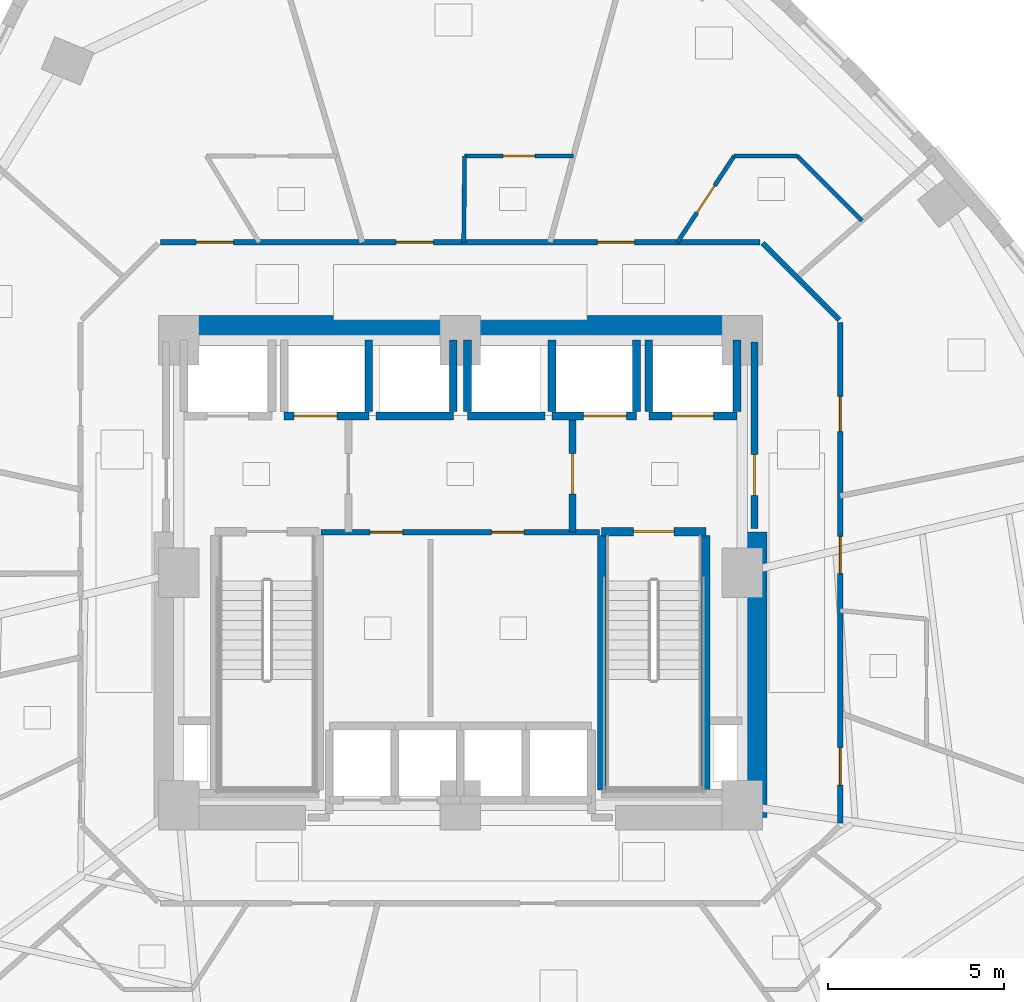
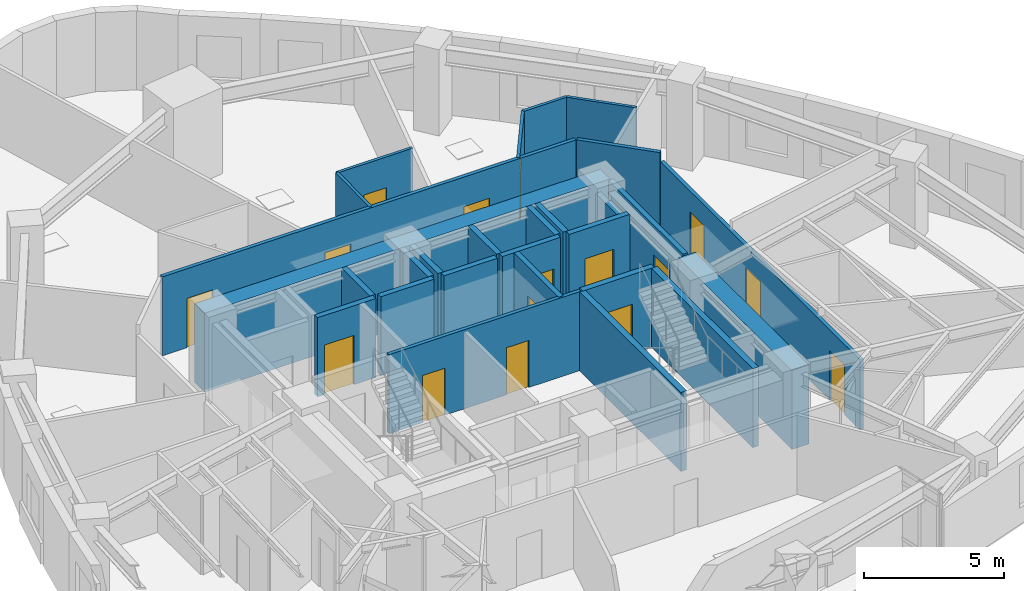
# One storey, part 7 of 12: 28 walls, 16 doors, 16 openings.
"""IFC4 building model written with IfcOpenShell, lengths in metres."""

from ifc_helpers import new_model, si_unit, direction, frame, frame_2d, origin, place, context, subcontext, project, spatial, rectangle, extrude, material, layer, layer_set, type_object, element, fill, save


model = new_model("IFC4")

# Units and contexts
model_context = context("Model", 3, precision=1e-05, world=origin(), true_north=direction((0.0, 1.0)))
body_context = subcontext(model_context, "Body", "Model", "MODEL_VIEW")
ifc_project = project(units=[si_unit("LENGTHUNIT", "METRE"), si_unit("AREAUNIT", "SQUARE_METRE"), si_unit("VOLUMEUNIT", "CUBIC_METRE"), si_unit("PLANEANGLEUNIT", "RADIAN"), si_unit("MASSUNIT", "GRAM", prefix="KILO")], contexts=[model_context])

# Site, building, storey
site_placement = place(None, origin())
site = spatial("IfcSite", under=ifc_project, at=site_placement, CompositionType="ELEMENT")
building_placement = place(site_placement, origin())
building = spatial("IfcBuilding", under=site, at=building_placement, Name="Ndelora Gate Hotel", CompositionType="ELEMENT")
storey_placement = place(building_placement, frame((0.0, 0.0, 79.25)))
storey = spatial("IfcBuildingStorey", under=building, at=storey_placement, Name="L19", CompositionType="ELEMENT", Elevation=79.25)

# Walls
ifc_material_1 = material(Name="Concrete C60/75", Category="concrete")
ifc_layer_1 = layer(ifc_material_1, 0.699951171875)
ifc_layer_set_1 = layer_set([ifc_layer_1], Name="Concrete C60/75")
wall_type_1 = type_object("IfcWallType", Name="WL-CORE-700", PredefinedType="SHEAR", material=ifc_layer_set_1)
wall_1_placement = place(storey_placement, frame((-8.35009765625, 6.949951171875, 0.0), z_axis=(0.0, 0.0, 1.0), x_axis=(1.0, 0.0, 0.0)))
element("IfcWall", 1, at=wall_1_placement, inside=storey, type_object=wall_type_1, Name="L19 Core Shear Wall N", PredefinedType="SHEAR", context=body_context, shape_type="SweptSolid", body=[
    extrude(rectangle(XDim=16.7001953125, YDim=0.699951171875, at=frame_2d((8.35009765625, 0.0))), origin(), (0.0, 0.0, 1.0), 3.43994140625),
])
wall_2_placement = place(storey_placement, frame((8.35009765625, -6.949951171875, 0.0), z_axis=(0.0, 0.0, 1.0), x_axis=(0.0, 1.0, 0.0)))
element("IfcWall", 2, at=wall_2_placement, inside=storey, type_object=wall_type_1, Name="L19 Core Shear Wall E", PredefinedType="SHEAR", context=body_context, shape_type="SweptSolid", body=[
    extrude(rectangle(XDim=8.099853515625, YDim=0.699951171875, at=frame_2d((4.0498046875, 0.0))), origin(), (0.0, 0.0, 1.0), 3.43994140625),
])

# Wall, opening, door
ifc_material_2 = material(Name="Concrete C40/50", Category="concrete")
ifc_layer_2 = layer(ifc_material_2, 0.199951171875)
ifc_layer_set_2 = layer_set([ifc_layer_2], Name="Concrete C40/50")
wall_type_2 = type_object("IfcWallType", Name="WL-FIRE-200", PredefinedType="PARTITIONING", material=ifc_layer_set_2)
wall_3_placement = place(storey_placement, frame((3.179931640625, 1.14990234375, 0.0), z_axis=(0.0, 0.0, 1.0), x_axis=(0.0, 1.0, 0.0)))
wall_3 = element("IfcWall", 3, at=wall_3_placement, inside=storey, type_object=wall_type_2, Name="L19 Interior Wall IW-2", PredefinedType="PARTITIONING", context=body_context, shape_type="SweptSolid", body=[
    extrude(rectangle(XDim=3.300048828125, YDim=0.199951171875, at=frame_2d((1.64990234375, 0.0))), origin(), (0.0, 0.0, 1.0), 3.43994140625),
])
opening_1_placement = place(wall_3_placement, frame((1.080078125, 0.0, 0.0)))
opening_1 = element("IfcOpeningElement", 4, at=opening_1_placement, cuts=wall_3, Name="Opening FD1", PredefinedType="OPENING", context=body_context, shape_type="SweptSolid", body=[
    extrude(rectangle(XDim=1.14990234375, YDim=2.14990234375, at=frame_2d((0.574951171875, 1.074951171875))), frame((0.0, 0.10986328125, 0.0), z_axis=(0.0, -1.0, 0.0), x_axis=(1.0, 0.0, 0.0)), (0.0, 0.0, 1.0), 0.219970703125),
])
ifc_material_3 = material(Name="Fire-Rated Timber-Veneer Steel Core", Category="steel")
door_type_1 = type_object("IfcDoorType", Name="DR-FD60", OperationType="SINGLE_SWING_LEFT", PredefinedType="DOOR", material=ifc_material_3)
door_1_placement = place(opening_1_placement, origin())
door_1 = element("IfcDoor", 5, at=door_1_placement, inside=storey, type_object=door_type_1, Name="L19 Firefighting Lobby East Door", OperationType="SINGLE_SWING_LEFT", OverallHeight=2.14990234375, OverallWidth=1.14990234375, PredefinedType="DOOR", context=body_context, shape_type="SweptSolid", body=[
    extrude(rectangle(XDim=1.14990234375, YDim=2.14990234375, at=frame_2d((0.574951171875, 1.074951171875))), frame((0.0, 0.02490234375, 0.0), z_axis=(0.0, -1.0, 0.0), x_axis=(1.0, 0.0, 0.0)), (0.0, 0.0, 1.0), 0.050048828125),
])
fill(opening_1, door_1)

wall_4_placement = place(storey_placement, frame((8.35009765625, 1.25, 0.0), z_axis=(0.0, 0.0, 1.0), x_axis=(0.0, 1.0, 0.0)))
wall_4 = element("IfcWall", 6, at=wall_4_placement, inside=storey, type_object=wall_type_2, Name="L19 Interior Wall IW-2", PredefinedType="PARTITIONING", context=body_context, shape_type="SweptSolid", body=[
    extrude(rectangle(XDim=5.300048828125, YDim=0.199951171875, at=frame_2d((2.64990234375, 0.0))), origin(), (0.0, 0.0, 1.0), 3.43994140625),
])
opening_2_placement = place(wall_4_placement, frame((0.949951171875, 0.0, 0.0)))
opening_2 = element("IfcOpeningElement", 7, at=opening_2_placement, cuts=wall_4, Name="Opening FD1", PredefinedType="OPENING", context=body_context, shape_type="SweptSolid", body=[
    extrude(rectangle(XDim=1.14990234375, YDim=2.14990234375, at=frame_2d((0.574951171875, 1.074951171875))), frame((0.0, 0.10986328125, 0.0), z_axis=(0.0, -1.0, 0.0), x_axis=(1.0, 0.0, 0.0)), (0.0, 0.0, 1.0), 0.219970703125),
])
door_2_placement = place(opening_2_placement, origin())
door_2 = element("IfcDoor", 8, at=door_2_placement, inside=storey, type_object=door_type_1, Name="L19 Firefighting Lobby East Corridor Door", OperationType="SINGLE_SWING_RIGHT", OverallHeight=2.14990234375, OverallWidth=1.14990234375, PredefinedType="DOOR", context=body_context, shape_type="SweptSolid", body=[
    extrude(rectangle(XDim=1.14990234375, YDim=2.14990234375, at=frame_2d((0.574951171875, 1.074951171875))), frame((0.0, 0.02490234375, 0.0), z_axis=(0.0, -1.0, 0.0), x_axis=(1.0, 0.0, 0.0)), (0.0, 0.0, 1.0), 0.050048828125),
])
fill(opening_2, door_2)

# Wall, openings, doors
ifc_material_4 = material(Name="Fire-Rated Gypsum Stud Partition", Category="gypsum")
ifc_layer_3 = layer(ifc_material_4, 0.14990234375)
ifc_layer_set_3 = layer_set([ifc_layer_3], Name="Fire-Rated Gypsum Stud Partition")
wall_type_3 = type_object("IfcWallType", Name="WL-PART-150", PredefinedType="PARTITIONING", material=ifc_layer_set_3)
wall_5_placement = place(storey_placement, frame((3.949951171875, 1.14990234375, 0.0), z_axis=(0.0, 0.0, 1.0), x_axis=(-1.0, 0.0, 0.0)))
wall_5 = element("IfcWall", 9, at=wall_5_placement, inside=storey, type_object=wall_type_3, Name="L19 Interior Wall IW-5", PredefinedType="PARTITIONING", context=body_context, shape_type="SweptSolid", body=[
    extrude(rectangle(XDim=7.89990234375, YDim=0.14990234375, at=frame_2d((3.949951171875, 0.0))), origin(), (0.0, 0.0, 1.0), 3.43994140625),
])
opening_3_placement = place(wall_5_placement, frame((5.590087890625, 0.0, 0.0)))
opening_3 = element("IfcOpeningElement", 10, at=opening_3_placement, cuts=wall_5, Name="Opening D04", PredefinedType="OPENING", context=body_context, shape_type="SweptSolid", body=[
    extrude(rectangle(XDim=0.919921875, YDim=2.050048828125, at=frame_2d((0.4599609375, 1.02490234375))), frame((0.0, 0.0849609375, 0.0), z_axis=(0.0, -1.0, 0.0), x_axis=(1.0, 0.0, 0.0)), (0.0, 0.0, 1.0), 0.169921875),
])
opening_4_placement = place(wall_5_placement, frame((2.139892578125, 0.0, 0.0)))
opening_4 = element("IfcOpeningElement", 11, at=opening_4_placement, cuts=wall_5, Name="Opening D04", PredefinedType="OPENING", context=body_context, shape_type="SweptSolid", body=[
    extrude(rectangle(XDim=0.919921875, YDim=2.050048828125, at=frame_2d((0.4599609375, 1.02490234375))), frame((0.0, 0.0849609375, 0.0), z_axis=(0.0, -1.0, 0.0), x_axis=(1.0, 0.0, 0.0)), (0.0, 0.0, 1.0), 0.169921875),
])
ifc_material_5 = material(Name="Painted Steel Core Service Door", Category="steel")
door_type_2 = type_object("IfcDoorType", Name="DR-SER-920", OperationType="SINGLE_SWING_LEFT", PredefinedType="DOOR", material=ifc_material_5)
door_3_placement = place(opening_3_placement, origin())
door_3 = element("IfcDoor", 12, at=door_3_placement, inside=storey, type_object=door_type_2, Name="L19 Core Electrical Switchroom Door", OperationType="SINGLE_SWING_LEFT", OverallHeight=2.050048828125, OverallWidth=0.919921875, PredefinedType="DOOR", context=body_context, shape_type="SweptSolid", body=[
    extrude(rectangle(XDim=0.919921875, YDim=2.050048828125, at=frame_2d((0.4599609375, 1.02490234375))), frame((0.0, 0.02490234375, 0.0), z_axis=(0.0, -1.0, 0.0), x_axis=(1.0, 0.0, 0.0)), (0.0, 0.0, 1.0), 0.050048828125),
])
fill(opening_3, door_3)
door_4_placement = place(opening_4_placement, origin())
door_4 = element("IfcDoor", 13, at=door_4_placement, inside=storey, type_object=door_type_2, Name="L19 Central Linen Equipment Store Door", OperationType="SINGLE_SWING_RIGHT", OverallHeight=2.050048828125, OverallWidth=0.919921875, PredefinedType="DOOR", context=body_context, shape_type="SweptSolid", body=[
    extrude(rectangle(XDim=0.919921875, YDim=2.050048828125, at=frame_2d((0.4599609375, 1.02490234375))), frame((0.0, 0.02490234375, 0.0), z_axis=(0.0, -1.0, 0.0), x_axis=(1.0, 0.0, 0.0)), (0.0, 0.0, 1.0), 0.050048828125),
])
fill(opening_4, door_4)

wall_6_placement = place(storey_placement, frame((10.780029296875, 7.110107421875, 0.0), z_axis=(0.0, 0.0, 1.0), x_axis=(0.0, -1.0, 0.0)))
wall_6 = element("IfcWall", 14, at=wall_6_placement, inside=storey, type_object=wall_type_3, Name="L19 Interior Wall IW-5", PredefinedType="PARTITIONING", context=body_context, shape_type="SweptSolid", body=[
    extrude(rectangle(XDim=14.22021484375, YDim=0.14990234375, at=frame_2d((7.110107421875, 0.0))), origin(), (0.0, 0.0, 1.0), 3.06005859375),
])
opening_5_placement = place(wall_6_placement, frame((2.104736328125, 0.0, 0.0)))
opening_5 = element("IfcOpeningElement", 15, at=opening_5_placement, cuts=wall_6, Name="Opening D01", PredefinedType="OPENING", context=body_context, shape_type="SweptSolid", body=[
    extrude(rectangle(XDim=1.0, YDim=2.14990234375, at=frame_2d((0.5, 1.074951171875))), frame((0.0, 0.0849609375, 0.0), z_axis=(0.0, -1.0, 0.0), x_axis=(1.0, 0.0, 0.0)), (0.0, 0.0, 1.0), 0.169921875),
])
opening_6_placement = place(wall_6_placement, frame((12.0751953125, 0.0, 0.0)))
opening_6 = element("IfcOpeningElement", 16, at=opening_6_placement, cuts=wall_6, Name="Opening D07", PredefinedType="OPENING", context=body_context, shape_type="SweptSolid", body=[
    extrude(rectangle(XDim=1.06005859375, YDim=2.14990234375, at=frame_2d((0.530029296875, 1.074951171875))), frame((0.0, 0.0849609375, 0.0), z_axis=(0.0, -1.0, 0.0), x_axis=(1.0, 0.0, 0.0)), (0.0, 0.0, 1.0), 0.169921875),
])
opening_7_placement = place(wall_6_placement, frame((6.074462890625, 0.0, 0.0)))
opening_7 = element("IfcOpeningElement", 17, at=opening_7_placement, cuts=wall_6, Name="Opening D07", PredefinedType="OPENING", context=body_context, shape_type="SweptSolid", body=[
    extrude(rectangle(XDim=1.06005859375, YDim=2.14990234375, at=frame_2d((0.530029296875, 1.074951171875))), frame((0.0, 0.0849609375, 0.0), z_axis=(0.0, -1.0, 0.0), x_axis=(1.0, 0.0, 0.0)), (0.0, 0.0, 1.0), 0.169921875),
])
ifc_material_6 = material(Name="Acoustic Hardwood Guest Entrance Door", Category="wood")
door_type_3 = type_object("IfcDoorType", Name="DR-COR-1000", OperationType="SINGLE_SWING_LEFT", PredefinedType="DOOR", material=ifc_material_6)
door_5_placement = place(opening_5_placement, origin())
door_5 = element("IfcDoor", 18, at=door_5_placement, inside=storey, type_object=door_type_3, Name="L19 Curated Art Salon Entrance Door", OperationType="SINGLE_SWING_LEFT", OverallHeight=2.14990234375, OverallWidth=1.0, PredefinedType="DOOR", context=body_context, shape_type="SweptSolid", body=[
    extrude(rectangle(XDim=1.0, YDim=2.14990234375, at=frame_2d((0.5, 1.074951171875))), frame((0.0, 0.02490234375, 0.0), z_axis=(0.0, -1.0, 0.0), x_axis=(1.0, 0.0, 0.0)), (0.0, 0.0, 1.0), 0.050048828125),
])
fill(opening_5, door_5)
ifc_material_7 = material(Name="Diplomatic Suite Acoustic Entrance Door", Category="wood")
door_type_4 = type_object("IfcDoorType", Name="DR-SUITE-1060", OperationType="SINGLE_SWING_LEFT", PredefinedType="DOOR", material=ifc_material_7)
door_6_placement = place(opening_6_placement, origin())
door_6 = element("IfcDoor", 19, at=door_6_placement, inside=storey, type_object=door_type_4, Name="L19 Deluxe King Junior Suite 2203 Entrance Door", OperationType="SINGLE_SWING_LEFT", OverallHeight=2.14990234375, OverallWidth=1.06005859375, PredefinedType="DOOR", context=body_context, shape_type="SweptSolid", body=[
    extrude(rectangle(XDim=1.06005859375, YDim=2.14990234375, at=frame_2d((0.530029296875, 1.074951171875))), frame((0.0, 0.02490234375, 0.0), z_axis=(0.0, -1.0, 0.0), x_axis=(1.0, 0.0, 0.0)), (0.0, 0.0, 1.0), 0.050048828125),
])
fill(opening_6, door_6)
door_7_placement = place(opening_7_placement, origin())
door_7 = element("IfcDoor", 20, at=door_7_placement, inside=storey, type_object=door_type_4, Name="L19 Twin Junior Suite 2204 Entrance Door", OperationType="SINGLE_SWING_RIGHT", OverallHeight=2.14990234375, OverallWidth=1.06005859375, PredefinedType="DOOR", context=body_context, shape_type="SweptSolid", body=[
    extrude(rectangle(XDim=1.06005859375, YDim=2.14990234375, at=frame_2d((0.530029296875, 1.074951171875))), frame((0.0, 0.02490234375, 0.0), z_axis=(0.0, -1.0, 0.0), x_axis=(1.0, 0.0, 0.0)), (0.0, 0.0, 1.0), 0.050048828125),
])
fill(opening_7, door_7)

# Wall
wall_7_placement = place(storey_placement, frame((8.578369140625, 9.351806640625, 0.0), z_axis=(0.0, 0.0, 1.0), x_axis=(0.707067066127, -0.707146494016, 0.0)))
element("IfcWall", 21, at=wall_7_placement, inside=storey, type_object=wall_type_3, Name="L19 Interior Wall IW-5", PredefinedType="PARTITIONING", context=body_context, shape_type="SweptSolid", body=[
    extrude(rectangle(XDim=3.07373046875, YDim=0.14990234375, at=frame_2d((1.536865234375, 0.0))), origin(), (0.0, 0.0, 1.0), 3.43994140625),
])

# Wall, openings, doors
wall_8_placement = place(storey_placement, frame((-8.510009765625, 9.3798828125, 0.0), z_axis=(0.0, 0.0, 1.0), x_axis=(1.0, 0.0, 0.0)))
wall_8 = element("IfcWall", 22, at=wall_8_placement, inside=storey, type_object=wall_type_3, Name="L19 Interior Wall IW-5", PredefinedType="PARTITIONING", context=body_context, shape_type="SweptSolid", body=[
    extrude(rectangle(XDim=17.02001953125, YDim=0.14990234375, at=frame_2d((8.510009765625, 0.0))), origin(), (0.0, 0.0, 1.0), 3.43994140625),
])
opening_8_placement = place(wall_8_placement, frame((12.39794921875, 0.0, 0.0)))
opening_8 = element("IfcOpeningElement", 23, at=opening_8_placement, cuts=wall_8, Name="Opening D07", PredefinedType="OPENING", context=body_context, shape_type="SweptSolid", body=[
    extrude(rectangle(XDim=1.06005859375, YDim=2.14990234375, at=frame_2d((0.530029296875, 1.074951171875))), frame((0.0, 0.0849609375, 0.0), z_axis=(0.0, -1.0, 0.0), x_axis=(1.0, 0.0, 0.0)), (0.0, 0.0, 1.0), 0.169921875),
])
opening_9_placement = place(wall_8_placement, frame((1.007080078125, 0.0, 0.0)))
opening_9 = element("IfcOpeningElement", 24, at=opening_9_placement, cuts=wall_8, Name="Opening D07", PredefinedType="OPENING", context=body_context, shape_type="SweptSolid", body=[
    extrude(rectangle(XDim=1.06005859375, YDim=2.14990234375, at=frame_2d((0.530029296875, 1.074951171875))), frame((0.0, 0.0849609375, 0.0), z_axis=(0.0, -1.0, 0.0), x_axis=(1.0, 0.0, 0.0)), (0.0, 0.0, 1.0), 0.169921875),
])
opening_10_placement = place(wall_8_placement, frame((6.6826171875, 0.0, 0.0)))
opening_10 = element("IfcOpeningElement", 25, at=opening_10_placement, cuts=wall_8, Name="Opening D07", PredefinedType="OPENING", context=body_context, shape_type="SweptSolid", body=[
    extrude(rectangle(XDim=1.06005859375, YDim=2.14990234375, at=frame_2d((0.530029296875, 1.074951171875))), frame((0.0, 0.0849609375, 0.0), z_axis=(0.0, -1.0, 0.0), x_axis=(1.0, 0.0, 0.0)), (0.0, 0.0, 1.0), 0.169921875),
])
door_8_placement = place(opening_8_placement, origin())
door_8 = element("IfcDoor", 26, at=door_8_placement, inside=storey, type_object=door_type_4, Name="L19 Family Twin Suite 2205 Entrance Door", OperationType="SINGLE_SWING_RIGHT", OverallHeight=2.14990234375, OverallWidth=1.06005859375, PredefinedType="DOOR", context=body_context, shape_type="SweptSolid", body=[
    extrude(rectangle(XDim=1.06005859375, YDim=2.14990234375, at=frame_2d((0.530029296875, 1.074951171875))), frame((0.0, 0.02490234375, 0.0), z_axis=(0.0, -1.0, 0.0), x_axis=(1.0, 0.0, 0.0)), (0.0, 0.0, 1.0), 0.050048828125),
])
fill(opening_8, door_8)
door_9_placement = place(opening_9_placement, origin())
door_9 = element("IfcDoor", 27, at=door_9_placement, inside=storey, type_object=door_type_4, Name="L19 Superior Double Junior Suite 2207 Entrance Door", OperationType="SINGLE_SWING_RIGHT", OverallHeight=2.14990234375, OverallWidth=1.06005859375, PredefinedType="DOOR", context=body_context, shape_type="SweptSolid", body=[
    extrude(rectangle(XDim=1.06005859375, YDim=2.14990234375, at=frame_2d((0.530029296875, 1.074951171875))), frame((0.0, 0.02490234375, 0.0), z_axis=(0.0, -1.0, 0.0), x_axis=(1.0, 0.0, 0.0)), (0.0, 0.0, 1.0), 0.050048828125),
])
fill(opening_9, door_9)
door_10_placement = place(opening_10_placement, origin())
door_10 = element("IfcDoor", 28, at=door_10_placement, inside=storey, type_object=door_type_4, Name="L19 Executive King Junior Suite 2206 Entrance Door", OperationType="SINGLE_SWING_LEFT", OverallHeight=2.14990234375, OverallWidth=1.06005859375, PredefinedType="DOOR", context=body_context, shape_type="SweptSolid", body=[
    extrude(rectangle(XDim=1.06005859375, YDim=2.14990234375, at=frame_2d((0.530029296875, 1.074951171875))), frame((0.0, 0.02490234375, 0.0), z_axis=(0.0, -1.0, 0.0), x_axis=(1.0, 0.0, 0.0)), (0.0, 0.0, 1.0), 0.050048828125),
])
fill(opening_10, door_10)

# Wall, opening, door
ifc_layer_4 = layer(ifc_material_2, 0.219970703125)
ifc_layer_set_4 = layer_set([ifc_layer_4], Name="Concrete C40/50")
wall_type_4 = type_object("IfcWallType", Name="WL-SHAFT-220", PredefinedType="PARTITIONING", material=ifc_layer_set_4)
wall_9_placement = place(storey_placement, frame((5.35009765625, 4.449951171875, 0.0), z_axis=(0.0, 0.0, 1.0), x_axis=(1.0, 0.0, 0.0)))
wall_9 = element("IfcWall", 29, at=wall_9_placement, inside=storey, type_object=wall_type_4, Name="L19 Interior Wall IW-1", PredefinedType="PARTITIONING", context=body_context, shape_type="SweptSolid", body=[
    extrude(rectangle(XDim=2.5, YDim=0.219970703125, at=frame_2d((1.25, 0.0))), origin(), (0.0, 0.0, 1.0), 3.43994140625),
])
opening_11_placement = place(wall_9_placement, frame((0.659912109375, 0.0, 0.0)))
opening_11 = element("IfcOpeningElement", 30, at=opening_11_placement, cuts=wall_9, Name="Opening LD5", PredefinedType="OPENING", context=body_context, shape_type="SweptSolid", body=[
    extrude(rectangle(XDim=1.179931640625, YDim=2.14990234375, at=frame_2d((0.58984375, 1.074951171875))), frame((0.0, 0.1201171875, 0.0), z_axis=(0.0, -1.0, 0.0), x_axis=(1.0, 0.0, 0.0)), (0.0, 0.0, 1.0), 0.239990234375),
])
ifc_material_8 = material(Name="Firefighting Lift Stainless Sliding Landing Door", Category="metal")
door_type_5 = type_object("IfcDoorType", Name="DR-LD5", OperationType="DOUBLE_DOOR_SLIDING", PredefinedType="DOOR", material=ifc_material_8)
door_11_placement = place(opening_11_placement, origin())
door_11 = element("IfcDoor", 31, at=door_11_placement, inside=storey, type_object=door_type_5, Name="L19 Lift Landing Sliding Door FFL2", OperationType="DOUBLE_DOOR_SLIDING", OverallHeight=2.14990234375, OverallWidth=1.179931640625, PredefinedType="DOOR", context=body_context, shape_type="SweptSolid", body=[
    extrude(rectangle(XDim=1.179931640625, YDim=2.14990234375, at=frame_2d((0.58984375, 1.074951171875))), frame((0.0, 0.02490234375, 0.0), z_axis=(0.0, -1.0, 0.0), x_axis=(1.0, 0.0, 0.0)), (0.0, 0.0, 1.0), 0.050048828125),
])
fill(opening_11, door_11)

# Walls
wall_10_placement = place(storey_placement, frame((5.35009765625, 4.570068359375, 0.0), z_axis=(0.0, 0.0, 1.0), x_axis=(0.0, 1.0, 0.0)))
element("IfcWall", 32, at=wall_10_placement, inside=storey, type_object=wall_type_4, Name="L19 Interior Wall IW-1", PredefinedType="PARTITIONING", context=body_context, shape_type="SweptSolid", body=[
    extrude(rectangle(XDim=2.030029296875, YDim=0.219970703125, at=frame_2d((1.01513671875, 0.0))), origin(), (0.0, 0.0, 1.0), 3.43994140625),
])
wall_11_placement = place(storey_placement, frame((7.85009765625, 4.570068359375, 0.0), z_axis=(0.0, 0.0, 1.0), x_axis=(0.0, 1.0, 0.0)))
element("IfcWall", 33, at=wall_11_placement, inside=storey, type_object=wall_type_4, Name="L19 Interior Wall IW-1", PredefinedType="PARTITIONING", context=body_context, shape_type="SweptSolid", body=[
    extrude(rectangle(XDim=2.030029296875, YDim=0.219970703125, at=frame_2d((1.01513671875, 0.0))), origin(), (0.0, 0.0, 1.0), 3.02001953125),
])

# Wall, opening, door
wall_12_placement = place(storey_placement, frame((-5.0, 4.449951171875, 0.0), z_axis=(0.0, 0.0, 1.0), x_axis=(1.0, 0.0, 0.0)))
wall_12 = element("IfcWall", 34, at=wall_12_placement, inside=storey, type_object=wall_type_4, Name="L19 Interior Wall IW-1", PredefinedType="PARTITIONING", context=body_context, shape_type="SweptSolid", body=[
    extrude(rectangle(XDim=2.39990234375, YDim=0.219970703125, at=frame_2d((1.199951171875, 0.0))), origin(), (0.0, 0.0, 1.0), 3.43994140625),
])
opening_12_placement = place(wall_12_placement, frame((0.280029296875, 0.0, 0.0)))
opening_12 = element("IfcOpeningElement", 35, at=opening_12_placement, cuts=wall_12, Name="Opening LD6", PredefinedType="OPENING", context=body_context, shape_type="SweptSolid", body=[
    extrude(rectangle(XDim=1.219970703125, YDim=2.14990234375, at=frame_2d((0.60986328125, 1.074951171875))), frame((0.0, 0.1201171875, 0.0), z_axis=(0.0, -1.0, 0.0), x_axis=(1.0, 0.0, 0.0)), (0.0, 0.0, 1.0), 0.239990234375),
])
ifc_material_9 = material(Name="Heavy-Duty Service Lift Sliding Landing Door", Category="wood")
door_type_6 = type_object("IfcDoorType", Name="DR-LD6", OperationType="DOUBLE_DOOR_SLIDING", PredefinedType="DOOR", material=ifc_material_9)
door_12_placement = place(opening_12_placement, origin())
door_12 = element("IfcDoor", 36, at=door_12_placement, inside=storey, type_object=door_type_6, Name="L19 Lift Landing Sliding Door SVL1", OperationType="DOUBLE_DOOR_SLIDING", OverallHeight=2.14990234375, OverallWidth=1.219970703125, PredefinedType="DOOR", context=body_context, shape_type="SweptSolid", body=[
    extrude(rectangle(XDim=1.219970703125, YDim=2.14990234375, at=frame_2d((0.60986328125, 1.074951171875))), frame((0.0, 0.02490234375, 0.0), z_axis=(0.0, -1.0, 0.0), x_axis=(1.0, 0.0, 0.0)), (0.0, 0.0, 1.0), 0.050048828125),
])
fill(opening_12, door_12)

# Wall
wall_13_placement = place(storey_placement, frame((-2.60009765625, 4.570068359375, 0.0), z_axis=(0.0, 0.0, 1.0), x_axis=(0.0, 1.0, 0.0)))
element("IfcWall", 37, at=wall_13_placement, inside=storey, type_object=wall_type_4, Name="L19 Interior Wall IW-1", PredefinedType="PARTITIONING", context=body_context, shape_type="SweptSolid", body=[
    extrude(rectangle(XDim=2.030029296875, YDim=0.219970703125, at=frame_2d((1.01513671875, 0.0))), origin(), (0.0, 0.0, 1.0), 3.43994140625),
])

# Wall, opening, door
wall_14_placement = place(storey_placement, frame((2.60009765625, 4.449951171875, 0.0), z_axis=(0.0, 0.0, 1.0), x_axis=(1.0, 0.0, 0.0)))
wall_14 = element("IfcWall", 38, at=wall_14_placement, inside=storey, type_object=wall_type_4, Name="L19 Interior Wall IW-1", PredefinedType="PARTITIONING", context=body_context, shape_type="SweptSolid", body=[
    extrude(rectangle(XDim=2.39990234375, YDim=0.219970703125, at=frame_2d((1.199951171875, 0.0))), origin(), (0.0, 0.0, 1.0), 3.43994140625),
])
opening_13_placement = place(wall_14_placement, frame((0.89990234375, 0.0, 0.0)))
opening_13 = element("IfcOpeningElement", 39, at=opening_13_placement, cuts=wall_14, Name="Opening LD6", PredefinedType="OPENING", context=body_context, shape_type="SweptSolid", body=[
    extrude(rectangle(XDim=1.219970703125, YDim=2.14990234375, at=frame_2d((0.60986328125, 1.074951171875))), frame((0.0, 0.1201171875, 0.0), z_axis=(0.0, -1.0, 0.0), x_axis=(1.0, 0.0, 0.0)), (0.0, 0.0, 1.0), 0.239990234375),
])
door_13_placement = place(opening_13_placement, origin())
door_13 = element("IfcDoor", 40, at=door_13_placement, inside=storey, type_object=door_type_6, Name="L19 Lift Landing Sliding Door SVL2", OperationType="DOUBLE_DOOR_SLIDING", OverallHeight=2.14990234375, OverallWidth=1.219970703125, PredefinedType="DOOR", context=body_context, shape_type="SweptSolid", body=[
    extrude(rectangle(XDim=1.219970703125, YDim=2.14990234375, at=frame_2d((0.60986328125, 1.074951171875))), frame((0.0, 0.02490234375, 0.0), z_axis=(0.0, -1.0, 0.0), x_axis=(1.0, 0.0, 0.0)), (0.0, 0.0, 1.0), 0.050048828125),
])
fill(opening_13, door_13)

# Walls
for number, where, z_axis, x_axis, name in (
    (41, (2.60009765625, 4.570068359375, 0.0), (0.0, 0.0, 1.0), (0.0, 1.0, 0.0), "L19 Interior Wall IW-1"),
    (42, (5.0, 4.570068359375, 0.0), (0.0, 0.0, 1.0), (0.0, 1.0, 0.0), "L19 Interior Wall IW-1"),
):
    element("IfcWall", number, at=place(storey_placement, frame(where, z_axis=z_axis, x_axis=x_axis)), inside=storey, type_object=wall_type_4, Name=name, PredefinedType="PARTITIONING", context=body_context, shape_type="SweptSolid", body=[
        extrude(rectangle(XDim=2.030029296875, YDim=0.219970703125, at=frame_2d((1.01513671875, 0.0))), origin(), (0.0, 0.0, 1.0), 3.43994140625),
    ])
wall_15_placement = place(storey_placement, frame((-2.39990234375, 4.449951171875, 0.0), z_axis=(0.0, 0.0, 1.0), x_axis=(1.0, 0.0, 0.0)))
element("IfcWall", 43, at=wall_15_placement, inside=storey, type_object=wall_type_4, Name="L19 Interior Wall IW-1", PredefinedType="PARTITIONING", context=body_context, shape_type="SweptSolid", body=[
    extrude(rectangle(XDim=2.199951171875, YDim=0.219970703125, at=frame_2d((1.10009765625, 0.0))), origin(), (0.0, 0.0, 1.0), 3.43994140625),
])
wall_16_placement = place(storey_placement, frame((-0.199951171875, 4.570068359375, 0.0), z_axis=(0.0, 0.0, 1.0), x_axis=(0.0, 1.0, 0.0)))
element("IfcWall", 44, at=wall_16_placement, inside=storey, type_object=wall_type_4, Name="L19 Interior Wall IW-1", PredefinedType="PARTITIONING", context=body_context, shape_type="SweptSolid", body=[
    extrude(rectangle(XDim=2.030029296875, YDim=0.219970703125, at=frame_2d((1.01513671875, 0.0))), origin(), (0.0, 0.0, 1.0), 3.43994140625),
])
wall_17_placement = place(storey_placement, frame((0.199951171875, 4.449951171875, 0.0), z_axis=(0.0, 0.0, 1.0), x_axis=(1.0, 0.0, 0.0)))
element("IfcWall", 45, at=wall_17_placement, inside=storey, type_object=wall_type_4, Name="L19 Interior Wall IW-1", PredefinedType="PARTITIONING", context=body_context, shape_type="SweptSolid", body=[
    extrude(rectangle(XDim=2.199951171875, YDim=0.219970703125, at=frame_2d((1.10009765625, 0.0))), origin(), (0.0, 0.0, 1.0), 3.43994140625),
])
wall_18_placement = place(storey_placement, frame((0.199951171875, 4.570068359375, 0.0), z_axis=(0.0, 0.0, 1.0), x_axis=(0.0, 1.0, 0.0)))
element("IfcWall", 46, at=wall_18_placement, inside=storey, type_object=wall_type_4, Name="L19 Interior Wall IW-1", PredefinedType="PARTITIONING", context=body_context, shape_type="SweptSolid", body=[
    extrude(rectangle(XDim=2.030029296875, YDim=0.219970703125, at=frame_2d((1.01513671875, 0.0))), origin(), (0.0, 0.0, 1.0), 3.43994140625),
])
ifc_material_10 = material(Name="Concrete C50/60", Category="concrete")
ifc_layer_5 = layer(ifc_material_10, 0.239990234375)
ifc_layer_set_5 = layer_set([ifc_layer_5], Name="Concrete C50/60")
wall_type_5 = type_object("IfcWallType", Name="WL-STAIR-240", PredefinedType="SHEAR", material=ifc_layer_set_5)
for number, where, z_axis, x_axis, name in (
    (47, (4.010009765625, -6.159912109375, 0.0), (0.0, 0.0, 1.0), (0.0, 1.0, 0.0), "L19 Stair Core Shear Wall SW-ST"),
    (48, (6.969970703125, -6.159912109375, 0.0), (0.0, 0.0, 1.0), (0.0, 1.0, 0.0), "L19 Stair Core Shear Wall SW-ST"),
):
    element("IfcWall", number, at=place(storey_placement, frame(where, z_axis=z_axis, x_axis=x_axis)), inside=storey, type_object=wall_type_5, Name=name, PredefinedType="SHEAR", context=body_context, shape_type="SweptSolid", body=[
        extrude(rectangle(XDim=7.219970703125, YDim=0.239990234375, at=frame_2d((3.60986328125, 0.0))), origin(), (0.0, 0.0, 1.0), 3.43994140625),
    ])

# Wall, opening, door
wall_19_placement = place(storey_placement, frame((4.010009765625, 1.169921875, 0.0), z_axis=(0.0, 0.0, 1.0), x_axis=(1.0, 0.0, 0.0)))
wall_19 = element("IfcWall", 49, at=wall_19_placement, inside=storey, type_object=wall_type_5, Name="L19 Stair Core Shear Wall SW-ST", PredefinedType="SHEAR", context=body_context, shape_type="SweptSolid", body=[
    extrude(rectangle(XDim=2.9599609375, YDim=0.239990234375, at=frame_2d((1.47998046875, 0.0))), origin(), (0.0, 0.0, 1.0), 3.43994140625),
])
opening_14_placement = place(wall_19_placement, frame((0.89990234375, 0.0, 0.0)))
opening_14 = element("IfcOpeningElement", 50, at=opening_14_placement, cuts=wall_19, Name="Opening FD1", PredefinedType="OPENING", context=body_context, shape_type="SweptSolid", body=[
    extrude(rectangle(XDim=1.14990234375, YDim=2.14990234375, at=frame_2d((0.574951171875, 1.074951171875))), frame((0.0, 0.1298828125, 0.0), z_axis=(0.0, -1.0, 0.0), x_axis=(1.0, 0.0, 0.0)), (0.0, 0.0, 1.0), 0.260009765625),
])
door_14_placement = place(opening_14_placement, origin())
door_14 = element("IfcDoor", 51, at=door_14_placement, inside=storey, type_object=door_type_1, Name="L19 Exit Stair ST5 Door", OperationType="SINGLE_SWING_RIGHT", OverallHeight=2.14990234375, OverallWidth=1.14990234375, PredefinedType="DOOR", context=body_context, shape_type="SweptSolid", body=[
    extrude(rectangle(XDim=1.14990234375, YDim=2.14990234375, at=frame_2d((0.574951171875, 1.074951171875))), frame((0.0, 0.02490234375, 0.0), z_axis=(0.0, -1.0, 0.0), x_axis=(1.0, 0.0, 0.0)), (0.0, 0.0, 1.0), 0.050048828125),
])
fill(opening_14, door_14)

ifc_material_11 = material(Name="Moisture-Resistant Bathroom Tile Partition", Category="gypsum")
ifc_layer_6 = layer(ifc_material_11, 0.1201171875)
ifc_layer_set_6 = layer_set([ifc_layer_6], Name="Moisture-Resistant Bathroom Tile Partition")
wall_type_6 = type_object("IfcWallType", Name="WL-WET-120", PredefinedType="PARTITIONING", material=ifc_layer_set_6)
wall_20_placement = place(storey_placement, frame((6.162109375, 9.3798828125, 0.0), z_axis=(0.0, 0.0, 1.0), x_axis=(0.54905657123, 0.835785188664, 0.0)))
wall_20 = element("IfcWall", 52, at=wall_20_placement, inside=storey, type_object=wall_type_6, Name="L19 Interior Wall IW-7", PredefinedType="PARTITIONING", context=body_context, shape_type="SweptSolid", body=[
    extrude(rectangle(XDim=2.931640625, YDim=0.1201171875, at=frame_2d((1.4658203125, 0.0))), origin(), (0.0, 0.0, 1.0), 3.43994140625),
])
opening_15_placement = place(wall_20_placement, frame((1.005615234375, 0.0, 0.0)))
opening_15 = element("IfcOpeningElement", 53, at=opening_15_placement, cuts=wall_20, Name="Opening D03", PredefinedType="OPENING", context=body_context, shape_type="SweptSolid", body=[
    extrude(rectangle(XDim=0.919921875, YDim=2.10009765625, at=frame_2d((0.4599609375, 1.050048828125))), frame((0.0, 0.070068359375, 0.0), z_axis=(0.0, -1.0, 0.0), x_axis=(1.0, 0.0, 0.0)), (0.0, 0.0, 1.0), 0.14013671875),
])
ifc_material_12 = material(Name="Moisture-Resistant Hardwood En-Suite Door", Category="wood")
door_type_7 = type_object("IfcDoorType", Name="DR-BATH-920", OperationType="SINGLE_SWING_LEFT", PredefinedType="DOOR", material=ifc_material_12)
door_15_placement = place(opening_15_placement, origin())
door_15 = element("IfcDoor", 54, at=door_15_placement, inside=storey, type_object=door_type_7, Name="L19 En-suite Bathroom 2205 Door", OperationType="SINGLE_SWING_RIGHT", OverallHeight=2.10009765625, OverallWidth=0.919921875, PredefinedType="DOOR", context=body_context, shape_type="SweptSolid", body=[
    extrude(rectangle(XDim=0.919921875, YDim=2.10009765625, at=frame_2d((0.4599609375, 1.050048828125))), frame((0.0, 0.02490234375, 0.0), z_axis=(0.0, -1.0, 0.0), x_axis=(1.0, 0.0, 0.0)), (0.0, 0.0, 1.0), 0.050048828125),
])
fill(opening_15, door_15)

# Walls
wall_21_placement = place(storey_placement, frame((7.771728515625, 11.830078125, 0.0), z_axis=(0.0, 0.0, 1.0), x_axis=(1.0, 0.0, 0.0)))
element("IfcWall", 55, at=wall_21_placement, inside=storey, type_object=wall_type_6, Name="L19 Interior Wall IW-7", PredefinedType="PARTITIONING", context=body_context, shape_type="SweptSolid", body=[
    extrude(rectangle(XDim=1.79296875, YDim=0.1201171875, at=frame_2d((0.896484375, 0.0))), origin(), (0.0, 0.0, 1.0), 3.43994140625),
])
wall_22_placement = place(storey_placement, frame((11.3984375, 9.996337890625, 0.0), z_axis=(0.0, 0.0, 1.0), x_axis=(-0.707106781187, 0.707106781187, 0.0)))
element("IfcWall", 56, at=wall_22_placement, inside=storey, type_object=wall_type_6, Name="L19 Interior Wall IW-7", PredefinedType="PARTITIONING", context=body_context, shape_type="SweptSolid", body=[
    extrude(rectangle(XDim=2.59326171875, YDim=0.1201171875, at=frame_2d((1.296630859375, 0.0))), origin(), (0.0, 0.0, 1.0), 3.43994140625),
])
wall_23_placement = place(storey_placement, frame((0.096435546875, 9.3798828125, 0.0), z_axis=(0.0, 0.0, 1.0), x_axis=(0.010262512547, 0.999947339032, 0.0)))
element("IfcWall", 57, at=wall_23_placement, inside=storey, type_object=wall_type_6, Name="L19 Interior Wall IW-7", PredefinedType="PARTITIONING", context=body_context, shape_type="SweptSolid", body=[
    extrude(rectangle(XDim=2.450439453125, YDim=0.1201171875, at=frame_2d((1.22509765625, 0.0))), origin(), (0.0, 0.0, 1.0), 3.43994140625),
])

# Wall, opening, door
wall_24_placement = place(storey_placement, frame((0.12158203125, 11.830078125, 0.0), z_axis=(0.0, 0.0, 1.0), x_axis=(1.0, 0.0, 0.0)))
wall_24 = element("IfcWall", 58, at=wall_24_placement, inside=storey, type_object=wall_type_6, Name="L19 Interior Wall IW-7", PredefinedType="PARTITIONING", context=body_context, shape_type="SweptSolid", body=[
    extrude(rectangle(XDim=3.0859375, YDim=0.1201171875, at=frame_2d((1.54296875, 0.0))), origin(), (0.0, 0.0, 1.0), 3.43994140625),
])
opening_16_placement = place(wall_24_placement, frame((1.0830078125, 0.0, 0.0)))
opening_16 = element("IfcOpeningElement", 59, at=opening_16_placement, cuts=wall_24, Name="Opening D03", PredefinedType="OPENING", context=body_context, shape_type="SweptSolid", body=[
    extrude(rectangle(XDim=0.919921875, YDim=2.10009765625, at=frame_2d((0.4599609375, 1.050048828125))), frame((0.0, 0.070068359375, 0.0), z_axis=(0.0, -1.0, 0.0), x_axis=(1.0, 0.0, 0.0)), (0.0, 0.0, 1.0), 0.14013671875),
])
door_16_placement = place(opening_16_placement, origin())
door_16 = element("IfcDoor", 60, at=door_16_placement, inside=storey, type_object=door_type_7, Name="L19 En-suite Bathroom 2206 Door", OperationType="SINGLE_SWING_LEFT", OverallHeight=2.10009765625, OverallWidth=0.919921875, PredefinedType="DOOR", context=body_context, shape_type="SweptSolid", body=[
    extrude(rectangle(XDim=0.919921875, YDim=2.10009765625, at=frame_2d((0.4599609375, 1.050048828125))), frame((0.0, 0.02490234375, 0.0), z_axis=(0.0, -1.0, 0.0), x_axis=(1.0, 0.0, 0.0)), (0.0, 0.0, 1.0), 0.050048828125),
])
fill(opening_16, door_16)

save(model, "model.ifc")
